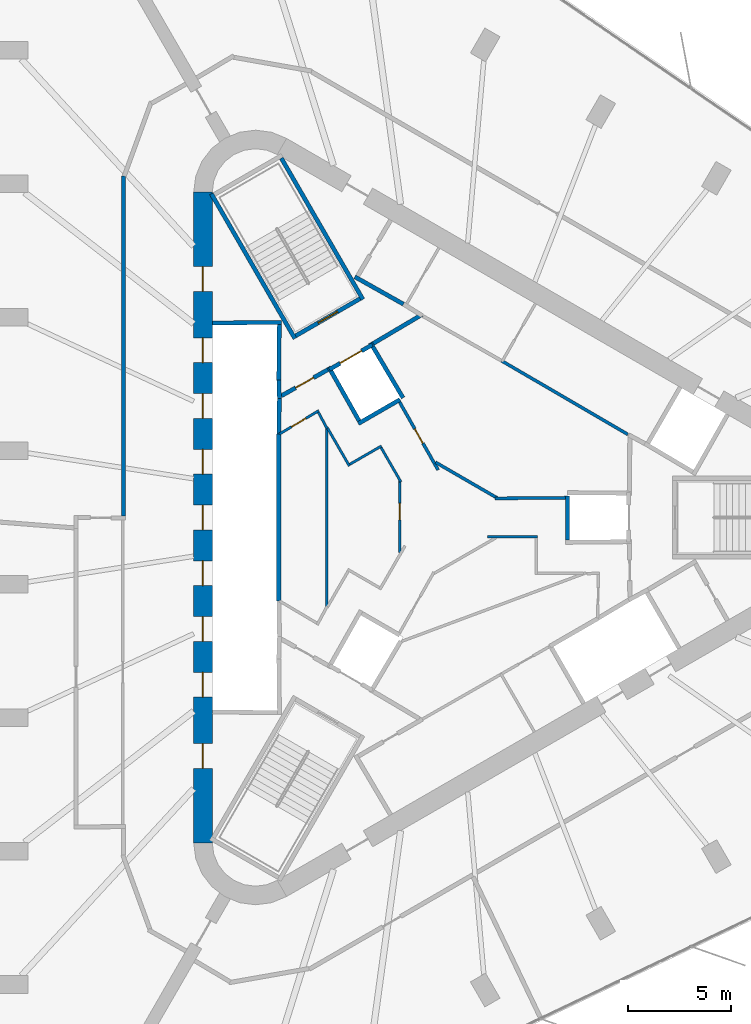
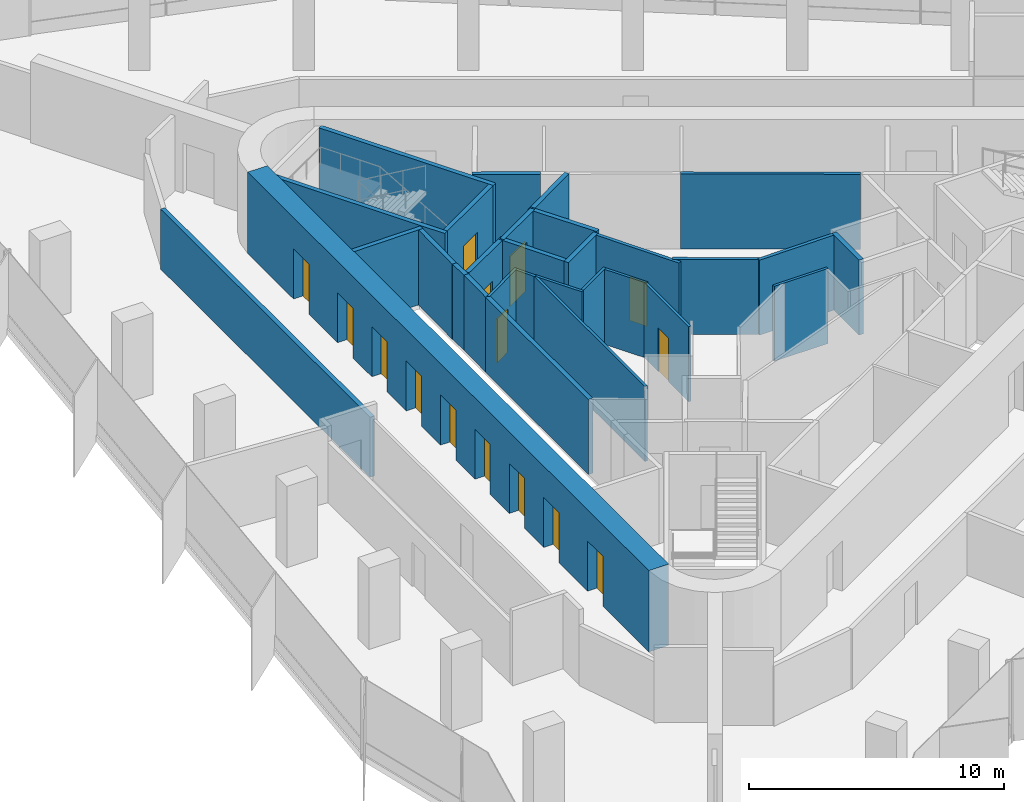
# One storey, part 10 of 14: 30 walls, 15 doors, 15 openings.
"""IFC4 building model written with IfcOpenShell, lengths in metres."""

from ifc_helpers import new_model, si_unit, direction, frame, frame_2d, origin, place, context, subcontext, project, spatial, rectangle, extrude, material, layer, layer_set, type_object, element, fill, save


model = new_model("IFC4")

# Units and contexts
model_context = context("Model", 3, precision=1e-05, world=origin(), true_north=direction((0.0, 1.0)))
body_context = subcontext(model_context, "Body", "Model", "MODEL_VIEW")
ifc_project = project(units=[si_unit("LENGTHUNIT", "METRE"), si_unit("AREAUNIT", "SQUARE_METRE"), si_unit("VOLUMEUNIT", "CUBIC_METRE"), si_unit("PLANEANGLEUNIT", "RADIAN"), si_unit("MASSUNIT", "GRAM", prefix="KILO")], contexts=[model_context])

# Site, building, storey
site_placement = place(None, origin())
site = spatial("IfcSite", under=ifc_project, at=site_placement, CompositionType="ELEMENT")
building_placement = place(site_placement, origin())
building = spatial("IfcBuilding", under=site, at=building_placement, Name="Tanit Gate Tower", CompositionType="ELEMENT")
storey_placement = place(building_placement, frame((0.0, 0.0, 306.5)))
storey = spatial("IfcBuildingStorey", under=building, at=storey_placement, Name="L68", CompositionType="ELEMENT", Elevation=306.5)

# Wall, openings, doors
ifc_material_1 = material(Name="Concrete C40/50", Category="concrete")
ifc_layer_1 = layer(ifc_material_1, 0.89990234375)
ifc_layer_set_1 = layer_set([ifc_layer_1], Name="CORE WALL 900 C40/50")
wall_type_1 = type_object("IfcWallType", Name="CORE WALL 900 C40/50", PredefinedType="SHEAR", material=ifc_layer_set_1)
wall_1_placement = place(storey_placement, frame((-11.64990234375, 15.76171875, 0.0), z_axis=(0.0, 0.0, 1.0), x_axis=(0.0, -1.0, 0.0)))
wall_1 = element("IfcWall", 1, at=wall_1_placement, inside=storey, type_object=wall_type_1, Name="CORE WALL", PredefinedType="SHEAR", context=body_context, shape_type="SweptSolid", body=[
    extrude(rectangle(XDim=31.5234375, YDim=0.89990234375, at=frame_2d((15.76171875, 0.0))), origin(), (0.0, 0.0, 1.0), 3.89990234375),
])
opening_1_placement = place(wall_1_placement, frame((7.061767578125, 0.0, 0.0)))
opening_1 = element("IfcOpeningElement", 2, at=opening_1_placement, cuts=wall_1, Name="Opening LDHL1-S18", PredefinedType="OPENING", context=body_context, shape_type="SweptSolid", body=[
    extrude(rectangle(XDim=1.199951171875, YDim=2.39990234375, at=frame_2d((0.60009765625, 1.199951171875))), frame((0.0, 0.4599609375, 0.0), z_axis=(0.0, -1.0, 0.0), x_axis=(1.0, 0.0, 0.0)), (0.0, 0.0, 1.0), 0.919921875),
])
opening_2_placement = place(wall_1_placement, frame((9.76171875, 0.0, 0.0)))
opening_2 = element("IfcOpeningElement", 3, at=opening_2_placement, cuts=wall_1, Name="Opening LDHL2-S18", PredefinedType="OPENING", context=body_context, shape_type="SweptSolid", body=[
    extrude(rectangle(XDim=1.199951171875, YDim=2.39990234375, at=frame_2d((0.60009765625, 1.199951171875))), frame((0.0, 0.4599609375, 0.0), z_axis=(0.0, -1.0, 0.0), x_axis=(1.0, 0.0, 0.0)), (0.0, 0.0, 1.0), 0.919921875),
])
opening_3_placement = place(wall_1_placement, frame((12.461669921875, 0.0, 0.0)))
opening_3 = element("IfcOpeningElement", 4, at=opening_3_placement, cuts=wall_1, Name="Opening LDHL3-S18", PredefinedType="OPENING", context=body_context, shape_type="SweptSolid", body=[
    extrude(rectangle(XDim=1.199951171875, YDim=2.39990234375, at=frame_2d((0.60009765625, 1.199951171875))), frame((0.0, 0.4599609375, 0.0), z_axis=(0.0, -1.0, 0.0), x_axis=(1.0, 0.0, 0.0)), (0.0, 0.0, 1.0), 0.919921875),
])
opening_4_placement = place(wall_1_placement, frame((15.16162109375, 0.0, 0.0)))
opening_4 = element("IfcOpeningElement", 5, at=opening_4_placement, cuts=wall_1, Name="Opening LDHL4-S18", PredefinedType="OPENING", context=body_context, shape_type="SweptSolid", body=[
    extrude(rectangle(XDim=1.199951171875, YDim=2.39990234375, at=frame_2d((0.60009765625, 1.199951171875))), frame((0.0, 0.4599609375, 0.0), z_axis=(0.0, -1.0, 0.0), x_axis=(1.0, 0.0, 0.0)), (0.0, 0.0, 1.0), 0.919921875),
])
opening_5_placement = place(wall_1_placement, frame((17.86181640625, 0.0, 0.0)))
opening_5 = element("IfcOpeningElement", 6, at=opening_5_placement, cuts=wall_1, Name="Opening LDHL5-S18", PredefinedType="OPENING", context=body_context, shape_type="SweptSolid", body=[
    extrude(rectangle(XDim=1.199951171875, YDim=2.39990234375, at=frame_2d((0.60009765625, 1.199951171875))), frame((0.0, 0.4599609375, 0.0), z_axis=(0.0, -1.0, 0.0), x_axis=(1.0, 0.0, 0.0)), (0.0, 0.0, 1.0), 0.919921875),
])
opening_6_placement = place(wall_1_placement, frame((20.561767578125, 0.0, 0.0)))
opening_6 = element("IfcOpeningElement", 7, at=opening_6_placement, cuts=wall_1, Name="Opening LDHL6-S18", PredefinedType="OPENING", context=body_context, shape_type="SweptSolid", body=[
    extrude(rectangle(XDim=1.199951171875, YDim=2.39990234375, at=frame_2d((0.60009765625, 1.199951171875))), frame((0.0, 0.4599609375, 0.0), z_axis=(0.0, -1.0, 0.0), x_axis=(1.0, 0.0, 0.0)), (0.0, 0.0, 1.0), 0.919921875),
])
opening_7_placement = place(wall_1_placement, frame((23.26171875, 0.0, 0.0)))
opening_7 = element("IfcOpeningElement", 8, at=opening_7_placement, cuts=wall_1, Name="Opening LDHL7-S18", PredefinedType="OPENING", context=body_context, shape_type="SweptSolid", body=[
    extrude(rectangle(XDim=1.199951171875, YDim=2.39990234375, at=frame_2d((0.60009765625, 1.199951171875))), frame((0.0, 0.4599609375, 0.0), z_axis=(0.0, -1.0, 0.0), x_axis=(1.0, 0.0, 0.0)), (0.0, 0.0, 1.0), 0.919921875),
])
opening_8_placement = place(wall_1_placement, frame((3.61181640625, 0.0, 0.0)))
opening_8 = element("IfcOpeningElement", 9, at=opening_8_placement, cuts=wall_1, Name="Opening F12-S18-FL2", PredefinedType="OPENING", context=body_context, shape_type="SweptSolid", body=[
    extrude(rectangle(XDim=1.199951171875, YDim=2.39990234375, at=frame_2d((0.60009765625, 1.199951171875))), frame((0.0, 0.4599609375, 0.0), z_axis=(0.0, -1.0, 0.0), x_axis=(1.0, 0.0, 0.0)), (0.0, 0.0, 1.0), 0.919921875),
])
opening_9_placement = place(wall_1_placement, frame((26.711669921875, 0.0, 0.0)))
opening_9 = element("IfcOpeningElement", 10, at=opening_9_placement, cuts=wall_1, Name="Opening F12-S18-S3", PredefinedType="OPENING", context=body_context, shape_type="SweptSolid", body=[
    extrude(rectangle(XDim=1.199951171875, YDim=2.39990234375, at=frame_2d((0.60009765625, 1.199951171875))), frame((0.0, 0.4599609375, 0.0), z_axis=(0.0, -1.0, 0.0), x_axis=(1.0, 0.0, 0.0)), (0.0, 0.0, 1.0), 0.919921875),
])
ifc_material_2 = material(Name="Fire-rated steel door leaf", Category="steel")
door_type_1 = type_object("IfcDoorType", Name="INT-DOOR-FIRE-LOBBY-1200", OperationType="NOTDEFINED", PredefinedType="USERDEFINED", material=ifc_material_2)
door_1_placement = place(opening_8_placement, origin())
door_1 = element("IfcDoor", 11, at=door_1_placement, inside=storey, type_object=door_type_1, Name="Door F12-S18-FL2", ObjectType="FIRE DOOR", OperationType="SINGLE_SWING_RIGHT", OverallHeight=2.39990234375, OverallWidth=1.199951171875, PredefinedType="USERDEFINED", context=body_context, shape_type="SweptSolid", body=[
    extrude(rectangle(XDim=1.199951171875, YDim=2.39990234375, at=frame_2d((0.60009765625, 1.199951171875))), frame((0.0, 0.02490234375, 0.0), z_axis=(0.0, -1.0, 0.0), x_axis=(1.0, 0.0, 0.0)), (0.0, 0.0, 1.0), 0.050048828125),
])
fill(opening_8, door_1)
door_2_placement = place(opening_9_placement, origin())
door_2 = element("IfcDoor", 12, at=door_2_placement, inside=storey, type_object=door_type_1, Name="Door F12-S18-S3", ObjectType="FIRE DOOR", OperationType="SINGLE_SWING_LEFT", OverallHeight=2.39990234375, OverallWidth=1.199951171875, PredefinedType="USERDEFINED", context=body_context, shape_type="SweptSolid", body=[
    extrude(rectangle(XDim=1.199951171875, YDim=2.39990234375, at=frame_2d((0.60009765625, 1.199951171875))), frame((0.0, 0.02490234375, 0.0), z_axis=(0.0, -1.0, 0.0), x_axis=(1.0, 0.0, 0.0)), (0.0, 0.0, 1.0), 0.050048828125),
])
fill(opening_9, door_2)
ifc_material_3 = material(Name="Stainless steel sliding door leaf", Category="steel")
door_type_2 = type_object("IfcDoorType", Name="INT-DOOR-LANDING-1200", OperationType="NOTDEFINED", PredefinedType="USERDEFINED", material=ifc_material_3)
door_3_placement = place(opening_1_placement, origin())
door_3 = element("IfcDoor", 13, at=door_3_placement, inside=storey, type_object=door_type_2, Name="Door LDHL1-S18", ObjectType="LANDING DOOR", OperationType="SLIDING_TO_LEFT", OverallHeight=2.39990234375, OverallWidth=1.199951171875, PredefinedType="USERDEFINED", context=body_context, shape_type="SweptSolid", body=[
    extrude(rectangle(XDim=1.199951171875, YDim=2.39990234375, at=frame_2d((0.60009765625, 1.199951171875))), frame((0.0, 0.02490234375, 0.0), z_axis=(0.0, -1.0, 0.0), x_axis=(1.0, 0.0, 0.0)), (0.0, 0.0, 1.0), 0.050048828125),
])
fill(opening_1, door_3)
door_4_placement = place(opening_2_placement, origin())
door_4 = element("IfcDoor", 14, at=door_4_placement, inside=storey, type_object=door_type_2, Name="Door LDHL2-S18", ObjectType="LANDING DOOR", OperationType="SLIDING_TO_LEFT", OverallHeight=2.39990234375, OverallWidth=1.199951171875, PredefinedType="USERDEFINED", context=body_context, shape_type="SweptSolid", body=[
    extrude(rectangle(XDim=1.199951171875, YDim=2.39990234375, at=frame_2d((0.60009765625, 1.199951171875))), frame((0.0, 0.02490234375, 0.0), z_axis=(0.0, -1.0, 0.0), x_axis=(1.0, 0.0, 0.0)), (0.0, 0.0, 1.0), 0.050048828125),
])
fill(opening_2, door_4)
door_5_placement = place(opening_3_placement, origin())
door_5 = element("IfcDoor", 15, at=door_5_placement, inside=storey, type_object=door_type_2, Name="Door LDHL3-S18", ObjectType="LANDING DOOR", OperationType="SLIDING_TO_LEFT", OverallHeight=2.39990234375, OverallWidth=1.199951171875, PredefinedType="USERDEFINED", context=body_context, shape_type="SweptSolid", body=[
    extrude(rectangle(XDim=1.199951171875, YDim=2.39990234375, at=frame_2d((0.60009765625, 1.199951171875))), frame((0.0, 0.02490234375, 0.0), z_axis=(0.0, -1.0, 0.0), x_axis=(1.0, 0.0, 0.0)), (0.0, 0.0, 1.0), 0.050048828125),
])
fill(opening_3, door_5)
door_6_placement = place(opening_4_placement, origin())
door_6 = element("IfcDoor", 16, at=door_6_placement, inside=storey, type_object=door_type_2, Name="Door LDHL4-S18", ObjectType="LANDING DOOR", OperationType="SLIDING_TO_LEFT", OverallHeight=2.39990234375, OverallWidth=1.199951171875, PredefinedType="USERDEFINED", context=body_context, shape_type="SweptSolid", body=[
    extrude(rectangle(XDim=1.199951171875, YDim=2.39990234375, at=frame_2d((0.60009765625, 1.199951171875))), frame((0.0, 0.02490234375, 0.0), z_axis=(0.0, -1.0, 0.0), x_axis=(1.0, 0.0, 0.0)), (0.0, 0.0, 1.0), 0.050048828125),
])
fill(opening_4, door_6)
door_7_placement = place(opening_5_placement, origin())
door_7 = element("IfcDoor", 17, at=door_7_placement, inside=storey, type_object=door_type_2, Name="Door LDHL5-S18", ObjectType="LANDING DOOR", OperationType="SLIDING_TO_LEFT", OverallHeight=2.39990234375, OverallWidth=1.199951171875, PredefinedType="USERDEFINED", context=body_context, shape_type="SweptSolid", body=[
    extrude(rectangle(XDim=1.199951171875, YDim=2.39990234375, at=frame_2d((0.60009765625, 1.199951171875))), frame((0.0, 0.02490234375, 0.0), z_axis=(0.0, -1.0, 0.0), x_axis=(1.0, 0.0, 0.0)), (0.0, 0.0, 1.0), 0.050048828125),
])
fill(opening_5, door_7)
door_8_placement = place(opening_6_placement, origin())
door_8 = element("IfcDoor", 18, at=door_8_placement, inside=storey, type_object=door_type_2, Name="Door LDHL6-S18", ObjectType="LANDING DOOR", OperationType="SLIDING_TO_LEFT", OverallHeight=2.39990234375, OverallWidth=1.199951171875, PredefinedType="USERDEFINED", context=body_context, shape_type="SweptSolid", body=[
    extrude(rectangle(XDim=1.199951171875, YDim=2.39990234375, at=frame_2d((0.60009765625, 1.199951171875))), frame((0.0, 0.02490234375, 0.0), z_axis=(0.0, -1.0, 0.0), x_axis=(1.0, 0.0, 0.0)), (0.0, 0.0, 1.0), 0.050048828125),
])
fill(opening_6, door_8)
door_9_placement = place(opening_7_placement, origin())
door_9 = element("IfcDoor", 19, at=door_9_placement, inside=storey, type_object=door_type_2, Name="Door LDHL7-S18", ObjectType="LANDING DOOR", OperationType="SLIDING_TO_LEFT", OverallHeight=2.39990234375, OverallWidth=1.199951171875, PredefinedType="USERDEFINED", context=body_context, shape_type="SweptSolid", body=[
    extrude(rectangle(XDim=1.199951171875, YDim=2.39990234375, at=frame_2d((0.60009765625, 1.199951171875))), frame((0.0, 0.02490234375, 0.0), z_axis=(0.0, -1.0, 0.0), x_axis=(1.0, 0.0, 0.0)), (0.0, 0.0, 1.0), 0.050048828125),
])
fill(opening_7, door_9)

# Walls
ifc_material_4 = material(Name="Fire-rated gypsum board partition")
ifc_layer_2 = layer(ifc_material_4, 0.199951171875)
ifc_layer_set_2 = layer_set([ifc_layer_2], Name="INT-WALL-COMPARTMENT")
wall_type_2 = type_object("IfcWallType", Name="INT-WALL-COMPARTMENT", PredefinedType="PARTITIONING", material=ifc_layer_set_2)
wall_2_placement = place(storey_placement, frame((-4.296142578125, 11.658935546875, 0.0), z_axis=(0.0, 0.0, 1.0), x_axis=(0.871534483978, -0.490334215854, 0.0)))
element("IfcWall", 20, at=wall_2_placement, inside=storey, type_object=wall_type_2, Name="Wall Compartment W050", PredefinedType="PARTITIONING", context=body_context, shape_type="SweptSolid", body=[
    extrude(rectangle(XDim=2.7001953125, YDim=0.199951171875, at=frame_2d((1.35009765625, 0.0))), origin(), (0.0, 0.0, 1.0), 3.60009765625),
])
wall_3_placement = place(storey_placement, frame((-1.054931640625, 9.818359375, 0.0), z_axis=(0.0, 0.0, 1.0), x_axis=(-0.860591104342, -0.509296525737, 0.0)))
element("IfcWall", 21, at=wall_3_placement, inside=storey, type_object=wall_type_2, Name="Wall Compartment W061", PredefinedType="PARTITIONING", context=body_context, shape_type="SweptSolid", body=[
    extrude(rectangle(XDim=2.7255859375, YDim=0.199951171875, at=frame_2d((1.36279296875, 0.0))), origin(), (0.0, 0.0, 1.0), 3.60009765625),
])

# Wall, opening, door
wall_4_placement = place(storey_placement, frame((-5.600341796875, 7.16015625, 0.0), z_axis=(0.0, 0.0, 1.0), x_axis=(-0.871363259478, -0.490638431059, 0.0)))
wall_4 = element("IfcWall", 22, at=wall_4_placement, inside=storey, type_object=wall_type_2, Name="Wall Compartment W062", PredefinedType="PARTITIONING", context=body_context, shape_type="SweptSolid", body=[
    extrude(rectangle(XDim=2.5810546875, YDim=0.199951171875, at=frame_2d((1.29052734375, 0.0))), origin(), (0.0, 0.0, 1.0), 3.60009765625),
])
opening_10_placement = place(wall_4_placement, frame((0.79052734375, 0.0, 0.0)))
opening_10 = element("IfcOpeningElement", 23, at=opening_10_placement, cuts=wall_4, Name="Opening F10-S18-05", PredefinedType="OPENING", context=body_context, shape_type="SweptSolid", body=[
    extrude(rectangle(XDim=1.0, YDim=2.10009765625, at=frame_2d((0.5, 1.050048828125))), frame((0.0, 0.10986328125, 0.0), z_axis=(0.0, -1.0, 0.0), x_axis=(1.0, 0.0, 0.0)), (0.0, 0.0, 1.0), 0.219970703125),
])
ifc_material_5 = material(Name="Fire-rated steel door leaf", Category="steel")
door_type_3 = type_object("IfcDoorType", Name="INT-DOOR-FIRE-1000", OperationType="NOTDEFINED", PredefinedType="USERDEFINED", material=ifc_material_5)
door_10_placement = place(opening_10_placement, origin())
door_10 = element("IfcDoor", 24, at=door_10_placement, inside=storey, type_object=door_type_3, Name="Door F10-S18-05", ObjectType="FIRE DOOR", OperationType="SINGLE_SWING_RIGHT", OverallHeight=2.10009765625, OverallWidth=1.0, PredefinedType="USERDEFINED", context=body_context, shape_type="SweptSolid", body=[
    extrude(rectangle(XDim=1.0, YDim=2.10009765625, at=frame_2d((0.5, 1.050048828125))), frame((0.0, 0.02490234375, 0.0), z_axis=(0.0, -1.0, 0.0), x_axis=(1.0, 0.0, 0.0)), (0.0, 0.0, 1.0), 0.050048828125),
])
fill(opening_10, door_10)

# Walls
wall_5_placement = place(storey_placement, frame((-15.5, 16.54052734375, 0.0), z_axis=(0.0, 0.0, 1.0), x_axis=(0.0, -1.0, 0.0)))
element("IfcWall", 25, at=wall_5_placement, inside=storey, type_object=wall_type_2, Name="Wall Compartment W096", PredefinedType="PARTITIONING", context=body_context, shape_type="SweptSolid", body=[
    extrude(rectangle(XDim=16.470458984375, YDim=0.199951171875, at=frame_2d((8.2353515625, 0.0))), origin(), (0.0, 0.0, 1.0), 2.8798828125),
])
ifc_material_6 = material(Name="Gypsum board partition")
ifc_layer_3 = layer(ifc_material_6, 0.1201171875)
ifc_layer_set_3 = layer_set([ifc_layer_3], Name="INT-WALL-PARTITION")
wall_type_3 = type_object("IfcWallType", Name="INT-WALL-PARTITION", PredefinedType="PARTITIONING", material=ifc_layer_set_3)
wall_6_placement = place(storey_placement, frame((4.56005859375, -0.925048828125, 0.0), z_axis=(0.0, 0.0, 1.0), x_axis=(-1.0, 0.0, 0.0)))
element("IfcWall", 26, at=wall_6_placement, inside=storey, type_object=wall_type_3, Name="Wall Partition W071", PredefinedType="PARTITIONING", context=body_context, shape_type="SweptSolid", body=[
    extrude(rectangle(XDim=2.438232421875, YDim=0.1201171875, at=frame_2d((1.21923828125, 0.0))), origin(), (0.0, 0.0, 1.0), 3.60009765625),
])
wall_7_placement = place(storey_placement, frame((-5.65087890625, -4.3876953125, 0.0), z_axis=(0.0, 0.0, 1.0), x_axis=(-0.000472563465, 0.999999888342, 0.0)))
element("IfcWall", 27, at=wall_7_placement, inside=storey, type_object=wall_type_3, Name="Wall Partition W076", PredefinedType="PARTITIONING", context=body_context, shape_type="SweptSolid", body=[
    extrude(rectangle(XDim=8.78271484375, YDim=0.1201171875, at=frame_2d((4.391357421875, 0.0))), origin(), (0.0, 0.0, 1.0), 3.60009765625),
])

# Wall, opening, door
wall_8_placement = place(storey_placement, frame((-6.03662109375, 5.17578125, 0.0), z_axis=(0.0, 0.0, 1.0), x_axis=(-0.860106072674, -0.510115225953, 0.0)))
wall_8 = element("IfcWall", 28, at=wall_8_placement, inside=storey, type_object=wall_type_3, Name="Wall Partition W079", PredefinedType="PARTITIONING", context=body_context, shape_type="SweptSolid", body=[
    extrude(rectangle(XDim=2.224609375, YDim=0.1201171875, at=frame_2d((1.1123046875, 0.0))), origin(), (0.0, 0.0, 1.0), 3.60009765625),
])
opening_11_placement = place(wall_8_placement, frame((0.7421875, 0.0, 0.0)))
opening_11 = element("IfcOpeningElement", 29, at=opening_11_placement, cuts=wall_8, Name="Opening R08-S18-13", PredefinedType="OPENING", context=body_context, shape_type="SweptSolid", body=[
    extrude(rectangle(XDim=0.800048828125, YDim=2.10009765625, at=frame_2d((0.39990234375, 1.050048828125))), frame((0.0, 0.070068359375, 0.0), z_axis=(0.0, -1.0, 0.0), x_axis=(1.0, 0.0, 0.0)), (0.0, 0.0, 1.0), 0.14013671875),
])
ifc_material_7 = material(Name="Timber door leaf", Category="wood")
door_type_4 = type_object("IfcDoorType", Name="INT-DOOR-RISER-800", OperationType="NOTDEFINED", PredefinedType="USERDEFINED", material=ifc_material_7)
door_11_placement = place(opening_11_placement, origin())
door_11 = element("IfcDoor", 30, at=door_11_placement, inside=storey, type_object=door_type_4, Name="Door R08-S18-13", ObjectType="FIRE DOOR", OperationType="SINGLE_SWING_LEFT", OverallHeight=2.10009765625, OverallWidth=0.800048828125, PredefinedType="USERDEFINED", context=body_context, shape_type="SweptSolid", body=[
    extrude(rectangle(XDim=0.800048828125, YDim=2.10009765625, at=frame_2d((0.39990234375, 1.050048828125))), frame((0.0, 0.02490234375, 0.0), z_axis=(0.0, -1.0, 0.0), x_axis=(1.0, 0.0, 0.0)), (0.0, 0.0, 1.0), 0.050048828125),
])
fill(opening_11, door_11)

# Walls
wall_9_placement = place(storey_placement, frame((-5.64013671875, 4.31005859375, 0.0), z_axis=(0.0, 0.0, 1.0), x_axis=(-0.472770828932, 0.88118541937, 0.0)))
element("IfcWall", 31, at=wall_9_placement, inside=storey, type_object=wall_type_3, Name="Wall Partition W080", PredefinedType="PARTITIONING", context=body_context, shape_type="SweptSolid", body=[
    extrude(rectangle(XDim=0.8876953125, YDim=0.1201171875, at=frame_2d((0.44384765625, 0.0))), origin(), (0.0, 0.0, 1.0), 3.60009765625),
])
wall_10_placement = place(storey_placement, frame((-4.558349609375, 2.4951171875, 0.0), z_axis=(0.0, 0.0, 1.0), x_axis=(-0.499986178718, 0.866033383358, 0.0)))
element("IfcWall", 32, at=wall_10_placement, inside=storey, type_object=wall_type_3, Name="Wall Partition W081", PredefinedType="PARTITIONING", context=body_context, shape_type="SweptSolid", body=[
    extrude(rectangle(XDim=2.16357421875, YDim=0.1201171875, at=frame_2d((1.081787109375, 0.0))), origin(), (0.0, 0.0, 1.0), 3.60009765625),
])
wall_11_placement = place(storey_placement, frame((-2.9990234375, 3.464599609375, 0.0), z_axis=(0.0, 0.0, 1.0), x_axis=(-0.866059624469, -0.499940723351, 0.0)))
element("IfcWall", 33, at=wall_11_placement, inside=storey, type_object=wall_type_3, Name="Wall Partition W082", PredefinedType="PARTITIONING", context=body_context, shape_type="SweptSolid", body=[
    extrude(rectangle(XDim=1.775146484375, YDim=0.1201171875, at=frame_2d((0.8876953125, 0.0))), origin(), (0.0, 0.0, 1.0), 3.60009765625),
])
wall_12_placement = place(storey_placement, frame((-2.066162109375, 1.728759765625, 0.0), z_axis=(0.0, 0.0, 1.0), x_axis=(-0.500002807145, 0.866023783073, 0.0)))
element("IfcWall", 34, at=wall_12_placement, inside=storey, type_object=wall_type_3, Name="Wall Partition W083", PredefinedType="PARTITIONING", context=body_context, shape_type="SweptSolid", body=[
    extrude(rectangle(XDim=1.90966796875, YDim=0.1201171875, at=frame_2d((0.954833984375, 0.0))), origin(), (0.0, 0.0, 1.0), 3.60009765625),
])

# Wall, opening, door
wall_13_placement = place(storey_placement, frame((-2.122314453125, -1.7060546875, 0.0), z_axis=(0.0, 0.0, 1.0), x_axis=(0.001253480909, 0.999999214392, 0.0)))
wall_13 = element("IfcWall", 35, at=wall_13_placement, inside=storey, type_object=wall_type_3, Name="Wall Partition W084", PredefinedType="PARTITIONING", context=body_context, shape_type="SweptSolid", body=[
    extrude(rectangle(XDim=3.505859375, YDim=0.1201171875, at=frame_2d((1.7529296875, 0.0))), origin(), (0.0, 0.0, 1.0), 3.60009765625),
])
opening_12_placement = place(wall_13_placement, frame((1.593505859375, 0.0, 0.0)))
opening_12 = element("IfcOpeningElement", 36, at=opening_12_placement, cuts=wall_13, Name="Opening R08-S18-14", PredefinedType="OPENING", context=body_context, shape_type="SweptSolid", body=[
    extrude(rectangle(XDim=0.800048828125, YDim=2.10009765625, at=frame_2d((0.39990234375, 1.050048828125))), frame((0.0, 0.070068359375, 0.0), z_axis=(0.0, -1.0, 0.0), x_axis=(1.0, 0.0, 0.0)), (0.0, 0.0, 1.0), 0.14013671875),
])
door_12_placement = place(opening_12_placement, origin())
door_12 = element("IfcDoor", 37, at=door_12_placement, inside=storey, type_object=door_type_4, Name="Door R08-S18-14", ObjectType="FIRE DOOR", OperationType="SINGLE_SWING_RIGHT", OverallHeight=2.10009765625, OverallWidth=0.800048828125, PredefinedType="USERDEFINED", context=body_context, shape_type="SweptSolid", body=[
    extrude(rectangle(XDim=0.800048828125, YDim=2.10009765625, at=frame_2d((0.39990234375, 1.050048828125))), frame((0.0, 0.02490234375, 0.0), z_axis=(0.0, -1.0, 0.0), x_axis=(1.0, 0.0, 0.0)), (0.0, 0.0, 1.0), 0.050048828125),
])
fill(opening_12, door_12)

# Walls
ifc_material_8 = material(Name="Fire-rated gypsum board partition")
ifc_layer_4 = layer(ifc_material_8, 0.14990234375)
ifc_layer_set_4 = layer_set([ifc_layer_4], Name="INT-WALL-RISER")
wall_type_4 = type_object("IfcWallType", Name="INT-WALL-RISER", PredefinedType="PLUMBINGWALL", material=ifc_layer_set_4)
wall_14_placement = place(storey_placement, frame((8.9306640625, 4.0244140625, 0.0), z_axis=(0.0, 0.0, 1.0), x_axis=(-0.863936620311, 0.50360055211, 0.0)))
element("IfcWall", 38, at=wall_14_placement, inside=storey, type_object=wall_type_4, Name="Wall Riser W046", PredefinedType="PLUMBINGWALL", context=body_context, shape_type="SweptSolid", body=[
    extrude(rectangle(XDim=7.072021484375, YDim=0.14990234375, at=frame_2d((3.5361328125, 0.0))), origin(), (0.0, 0.0, 1.0), 3.60009765625),
])
wall_15_placement = place(storey_placement, frame((2.5068359375, 0.923828125, 0.0), z_axis=(0.0, 0.0, 1.0), x_axis=(0.999961473465, 0.008777903278, 0.0)))
element("IfcWall", 39, at=wall_15_placement, inside=storey, type_object=wall_type_4, Name="Wall Riser W065", PredefinedType="PLUMBINGWALL", context=body_context, shape_type="SweptSolid", body=[
    extrude(rectangle(XDim=3.393310546875, YDim=0.14990234375, at=frame_2d((1.69677734375, 0.0))), origin(), (0.0, 0.0, 1.0), 3.60009765625),
])
wall_16_placement = place(storey_placement, frame((-0.38525390625, 2.673095703125, 0.0), z_axis=(0.0, 0.0, 1.0), x_axis=(0.865415028875, -0.501055713266, 0.0)))
element("IfcWall", 40, at=wall_16_placement, inside=storey, type_object=wall_type_4, Name="Wall Riser W066", PredefinedType="PLUMBINGWALL", context=body_context, shape_type="SweptSolid", body=[
    extrude(rectangle(XDim=3.46484375, YDim=0.14990234375, at=frame_2d((1.732421875, 0.0))), origin(), (0.0, 0.0, 1.0), 3.60009765625),
])

# Wall, opening, door
wall_17_placement = place(storey_placement, frame((-2.1240234375, 5.58642578125, 0.0), z_axis=(0.0, 0.0, 1.0), x_axis=(0.493408695398, -0.869797596746, 0.0)))
wall_17 = element("IfcWall", 41, at=wall_17_placement, inside=storey, type_object=wall_type_4, Name="Wall Riser W067", PredefinedType="PLUMBINGWALL", context=body_context, shape_type="SweptSolid", body=[
    extrude(rectangle(XDim=3.7783203125, YDim=0.14990234375, at=frame_2d((1.88916015625, 0.0))), origin(), (0.0, 0.0, 1.0), 3.60009765625),
])
opening_13_placement = place(wall_17_placement, frame((1.4892578125, 0.0, 0.0)))
opening_13 = element("IfcOpeningElement", 42, at=opening_13_placement, cuts=wall_17, Name="Opening R08-S18-10", PredefinedType="OPENING", context=body_context, shape_type="SweptSolid", body=[
    extrude(rectangle(XDim=0.800048828125, YDim=2.10009765625, at=frame_2d((0.39990234375, 1.050048828125))), frame((0.0, 0.0849609375, 0.0), z_axis=(0.0, -1.0, 0.0), x_axis=(1.0, 0.0, 0.0)), (0.0, 0.0, 1.0), 0.169921875),
])
door_13_placement = place(opening_13_placement, origin())
door_13 = element("IfcDoor", 43, at=door_13_placement, inside=storey, type_object=door_type_4, Name="Door R08-S18-10", ObjectType="FIRE DOOR", OperationType="SINGLE_SWING_LEFT", OverallHeight=2.10009765625, OverallWidth=0.800048828125, PredefinedType="USERDEFINED", context=body_context, shape_type="SweptSolid", body=[
    extrude(rectangle(XDim=0.800048828125, YDim=2.10009765625, at=frame_2d((0.39990234375, 1.050048828125))), frame((0.0, 0.02490234375, 0.0), z_axis=(0.0, -1.0, 0.0), x_axis=(1.0, 0.0, 0.0)), (0.0, 0.0, 1.0), 0.050048828125),
])
fill(opening_13, door_13)

# Walls
ifc_material_9 = material(Name="Gypsum shaft wall system")
ifc_layer_5 = layer(ifc_material_9, 0.199951171875)
ifc_layer_set_5 = layer_set([ifc_layer_5], Name="INT-WALL-SHAFT")
wall_type_5 = type_object("IfcWallType", Name="INT-WALL-SHAFT", PredefinedType="PLUMBINGWALL", material=ifc_layer_set_5)
wall_18_placement = place(storey_placement, frame((-11.199951171875, 9.419921875, 0.0), z_axis=(0.0, 0.0, 1.0), x_axis=(0.999957167047, 0.009255488683, 0.0)))
element("IfcWall", 44, at=wall_18_placement, inside=storey, type_object=wall_type_5, Name="Wall Shaft W001", PredefinedType="PLUMBINGWALL", context=body_context, shape_type="SweptSolid", body=[
    extrude(rectangle(XDim=3.35009765625, YDim=0.199951171875, at=frame_2d((1.675048828125, 0.0))), origin(), (0.0, 0.0, 1.0), 3.60009765625),
])
wall_19_placement = place(storey_placement, frame((-7.951171875, 9.35009765625, 0.0), z_axis=(0.0, 0.0, 1.0), x_axis=(-0.011120469654, -0.999938165666, 0.0)))
element("IfcWall", 45, at=wall_19_placement, inside=storey, type_object=wall_type_5, Name="Wall Shaft W002", PredefinedType="PLUMBINGWALL", context=body_context, shape_type="SweptSolid", body=[
    extrude(rectangle(XDim=2.700439453125, YDim=0.199951171875, at=frame_2d((1.35009765625, 0.0))), origin(), (0.0, 0.0, 1.0), 3.60009765625),
])
wall_20_placement = place(storey_placement, frame((-7.97705078125, 6.650146484375, 0.0), z_axis=(0.0, 0.0, 1.0), x_axis=(0.030861509705, -0.999523670164, 0.0)))
element("IfcWall", 46, at=wall_20_placement, inside=storey, type_object=wall_type_5, Name="Wall Shaft W003", PredefinedType="PLUMBINGWALL", context=body_context, shape_type="SweptSolid", body=[
    extrude(rectangle(XDim=0.878173828125, YDim=0.199951171875, at=frame_2d((0.43896484375, 0.0))), origin(), (0.0, 0.0, 1.0), 3.60009765625),
])
wall_21_placement = place(storey_placement, frame((-7.94921875, 5.894775390625, 0.0), z_axis=(0.0, 0.0, 1.0), x_axis=(-0.012042535896, -0.999927486035, 0.0)))
element("IfcWall", 47, at=wall_21_placement, inside=storey, type_object=wall_type_5, Name="Wall Shaft W004", PredefinedType="PLUMBINGWALL", context=body_context, shape_type="SweptSolid", body=[
    extrude(rectangle(XDim=1.844970703125, YDim=0.199951171875, at=frame_2d((0.92236328125, 0.0))), origin(), (0.0, 0.0, 1.0), 3.60009765625),
])
wall_22_placement = place(storey_placement, frame((-7.97998046875, 4.050048828125, 0.0), z_axis=(0.0, 0.0, 1.0), x_axis=(0.0, -1.0, 0.0)))
element("IfcWall", 48, at=wall_22_placement, inside=storey, type_object=wall_type_5, Name="Wall Shaft W005", PredefinedType="PLUMBINGWALL", context=body_context, shape_type="SweptSolid", body=[
    extrude(rectangle(XDim=8.10009765625, YDim=0.199951171875, at=frame_2d((4.050048828125, 0.0))), origin(), (0.0, 0.0, 1.0), 3.60009765625),
])
wall_23_placement = place(storey_placement, frame((6.0, -1.10009765625, 0.0), z_axis=(0.0, 0.0, 1.0), x_axis=(0.0, 1.0, 0.0)))
element("IfcWall", 49, at=wall_23_placement, inside=storey, type_object=wall_type_5, Name="Wall Shaft W027", PredefinedType="PLUMBINGWALL", context=body_context, shape_type="SweptSolid", body=[
    extrude(rectangle(XDim=2.129638671875, YDim=0.199951171875, at=frame_2d((1.06494140625, 0.0))), origin(), (0.0, 0.0, 1.0), 3.60009765625),
])

# Wall, opening, door
wall_24_placement = place(storey_placement, frame((-5.524169921875, 7.168212890625, 0.0), z_axis=(0.0, 0.0, 1.0), x_axis=(0.866024647952, 0.500001309137, 0.0)))
wall_24 = element("IfcWall", 50, at=wall_24_placement, inside=storey, type_object=wall_type_5, Name="Wall Shaft W032", PredefinedType="PLUMBINGWALL", context=body_context, shape_type="SweptSolid", body=[
    extrude(rectangle(XDim=2.39990234375, YDim=0.199951171875, at=frame_2d((1.199951171875, 0.0))), origin(), (0.0, 0.0, 1.0), 3.60009765625),
])
opening_14_placement = place(wall_24_placement, frame((0.60009765625, 0.0, 0.0)))
opening_14 = element("IfcOpeningElement", 51, at=opening_14_placement, cuts=wall_24, Name="Opening LDFL2-L68", PredefinedType="OPENING", context=body_context, shape_type="SweptSolid", body=[
    extrude(rectangle(XDim=1.199951171875, YDim=2.39990234375, at=frame_2d((0.60009765625, 1.199951171875))), frame((0.0, 0.10986328125, 0.0), z_axis=(0.0, -1.0, 0.0), x_axis=(1.0, 0.0, 0.0)), (0.0, 0.0, 1.0), 0.219970703125),
])
door_14_placement = place(opening_14_placement, origin())
door_14 = element("IfcDoor", 52, at=door_14_placement, inside=storey, type_object=door_type_2, Name="Door LDFL2-L68", ObjectType="LANDING DOOR", OperationType="SLIDING_TO_LEFT", OverallHeight=2.39990234375, OverallWidth=1.199951171875, PredefinedType="USERDEFINED", context=body_context, shape_type="SweptSolid", body=[
    extrude(rectangle(XDim=1.199951171875, YDim=2.39990234375, at=frame_2d((0.60009765625, 1.199951171875))), frame((0.0, 0.02490234375, 0.0), z_axis=(0.0, -1.0, 0.0), x_axis=(1.0, 0.0, 0.0)), (0.0, 0.0, 1.0), 0.050048828125),
])
fill(opening_14, door_14)

# Walls
wall_25_placement = place(storey_placement, frame((-3.53759765625, 8.46533203125, 0.0), z_axis=(0.0, 0.0, 1.0), x_axis=(0.508647062354, -0.860975125052, 0.0)))
element("IfcWall", 53, at=wall_25_placement, inside=storey, type_object=wall_type_5, Name="Wall Shaft W033", PredefinedType="PLUMBINGWALL", context=body_context, shape_type="SweptSolid", body=[
    extrude(rectangle(XDim=3.10009765625, YDim=0.199951171875, at=frame_2d((1.550048828125, 0.0))), origin(), (0.0, 0.0, 1.0), 3.60009765625),
])
wall_26_placement = place(storey_placement, frame((-2.1083984375, 5.7109375, 0.0), z_axis=(0.0, 0.0, 1.0), x_axis=(-0.866009305107, -0.50002788269, 0.0)))
element("IfcWall", 54, at=wall_26_placement, inside=storey, type_object=wall_type_5, Name="Wall Shaft W034", PredefinedType="PLUMBINGWALL", context=body_context, shape_type="SweptSolid", body=[
    extrude(rectangle(XDim=2.329345703125, YDim=0.199951171875, at=frame_2d((1.16455078125, 0.0))), origin(), (0.0, 0.0, 1.0), 3.60009765625),
])
wall_27_placement = place(storey_placement, frame((-5.5625, 7.29638671875, 0.0), z_axis=(0.0, 0.0, 1.0), x_axis=(0.49134651263, -0.870964180966, 0.0)))
element("IfcWall", 55, at=wall_27_placement, inside=storey, type_object=wall_type_5, Name="Wall Shaft W035", PredefinedType="PLUMBINGWALL", context=body_context, shape_type="SweptSolid", body=[
    extrude(rectangle(XDim=3.000244140625, YDim=0.199951171875, at=frame_2d((1.5, 0.0))), origin(), (0.0, 0.0, 1.0), 3.60009765625),
])
ifc_material_10 = material(Name="Concrete C40/50", Category="concrete")
ifc_layer_6 = layer(ifc_material_10, 0.199951171875)
ifc_layer_set_6 = layer_set([ifc_layer_6], Name="INT-WALL-STAIR")
wall_type_6 = type_object("IfcWallType", Name="INT-WALL-STAIR", PredefinedType="SHEAR", material=ifc_layer_set_6)
wall_28_placement = place(storey_placement, frame((-11.245361328125, 15.677734375, -0.300048828125), z_axis=(0.0, 0.0, 1.0), x_axis=(0.499977274689, -0.866038523851, 0.0)))
element("IfcWall", 56, at=wall_28_placement, inside=storey, type_object=wall_type_6, Name="Wall Stair W028", PredefinedType="SHEAR", context=body_context, shape_type="SweptSolid", body=[
    extrude(rectangle(XDim=8.10009765625, YDim=0.199951171875, at=frame_2d((4.050048828125, 0.0))), origin(), (0.0, 0.0, 1.0), 3.900146484375),
])
wall_29_placement = place(storey_placement, frame((-7.8544921875, 17.404541015625, -0.300048828125), z_axis=(0.0, 0.0, 1.0), x_axis=(0.499997992926, -0.866026562566, 0.0)))
element("IfcWall", 57, at=wall_29_placement, inside=storey, type_object=wall_type_6, Name="Wall Stair W030", PredefinedType="SHEAR", context=body_context, shape_type="SweptSolid", body=[
    extrude(rectangle(XDim=7.89990234375, YDim=0.199951171875, at=frame_2d((3.949951171875, 0.0))), origin(), (0.0, 0.0, 1.0), 3.900146484375),
])

# Wall, opening, door
wall_30_placement = place(storey_placement, frame((-7.158935546875, 8.799560546875, -0.300048828125), z_axis=(0.0, 0.0, 1.0), x_axis=(0.866047807691, 0.499961193289, 0.0)))
wall_30 = element("IfcWall", 58, at=wall_30_placement, inside=storey, type_object=wall_type_6, Name="Wall Stair W031", PredefinedType="SHEAR", context=body_context, shape_type="SweptSolid", body=[
    extrude(rectangle(XDim=3.599853515625, YDim=0.199951171875, at=frame_2d((1.7998046875, 0.0))), origin(), (0.0, 0.0, 1.0), 3.900146484375),
])
opening_15_placement = place(wall_30_placement, frame((1.25, 0.0, 0.300048828125)))
opening_15 = element("IfcOpeningElement", 59, at=opening_15_placement, cuts=wall_30, Name="Opening S11-S18-04", PredefinedType="OPENING", context=body_context, shape_type="SweptSolid", body=[
    extrude(rectangle(XDim=1.10009765625, YDim=2.10009765625, at=frame_2d((0.550048828125, 1.050048828125))), frame((0.0, 0.10986328125, 0.0), z_axis=(0.0, -1.0, 0.0), x_axis=(1.0, 0.0, 0.0)), (0.0, 0.0, 1.0), 0.219970703125),
])
ifc_material_11 = material(Name="Timber door leaf", Category="wood")
door_type_5 = type_object("IfcDoorType", Name="INT-DOOR-STAIR-1100", OperationType="NOTDEFINED", PredefinedType="USERDEFINED", material=ifc_material_11)
door_15_placement = place(opening_15_placement, origin())
door_15 = element("IfcDoor", 60, at=door_15_placement, inside=storey, type_object=door_type_5, Name="Door S11-S18-04", ObjectType="FIRE DOOR", OperationType="SINGLE_SWING_RIGHT", OverallHeight=2.10009765625, OverallWidth=1.10009765625, PredefinedType="USERDEFINED", context=body_context, shape_type="SweptSolid", body=[
    extrude(rectangle(XDim=1.10009765625, YDim=2.10009765625, at=frame_2d((0.550048828125, 1.050048828125))), frame((0.0, 0.02490234375, 0.0), z_axis=(0.0, -1.0, 0.0), x_axis=(1.0, 0.0, 0.0)), (0.0, 0.0, 1.0), 0.050048828125),
])
fill(opening_15, door_15)

save(model, "model.ifc")
